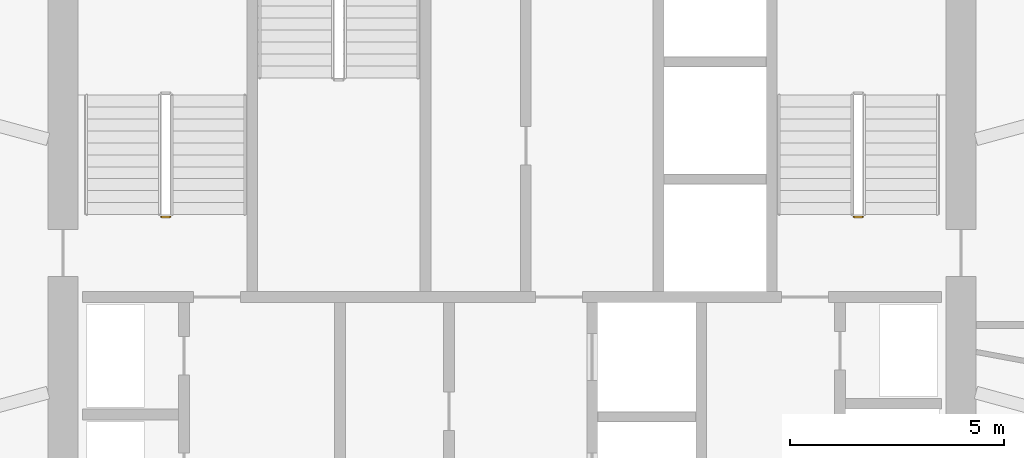
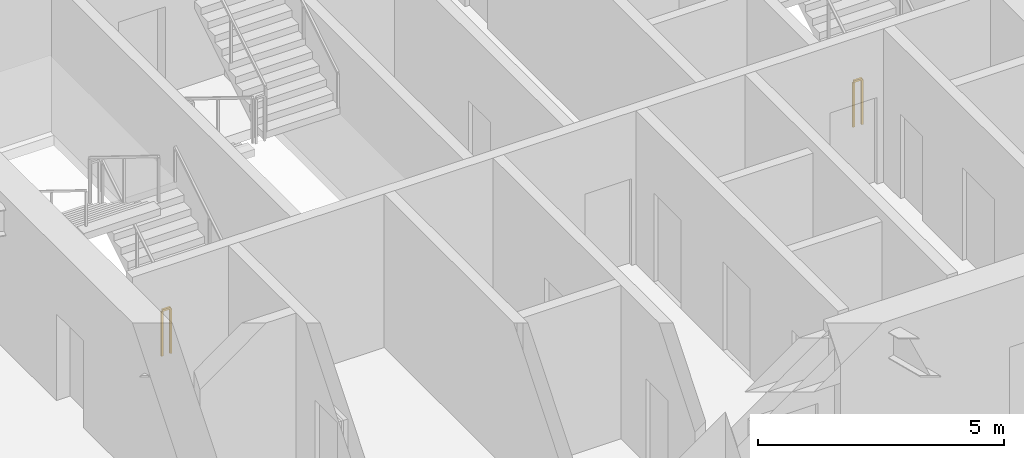
# One storey, part 28 of 30: 2 railings.
"""IFC4 building model written with IfcOpenShell, lengths in metres."""

from ifc_helpers import new_model, si_unit, direction, frame, origin, origin_2d, place, context, subcontext, project, spatial, rectangle, extrude, material, type_object, element, save


model = new_model("IFC4")

# Units and contexts
model_context = context("Model", 3, precision=1e-05, world=origin(), true_north=direction((0.0, 1.0)))
body_context = subcontext(model_context, "Body", "Model", "MODEL_VIEW")
ifc_project = project(units=[si_unit("LENGTHUNIT", "METRE"), si_unit("AREAUNIT", "SQUARE_METRE"), si_unit("VOLUMEUNIT", "CUBIC_METRE"), si_unit("PLANEANGLEUNIT", "RADIAN"), si_unit("MASSUNIT", "GRAM", prefix="KILO")], contexts=[model_context])

# Site, building, storey
site_placement = place(None, origin())
site = spatial("IfcSite", under=ifc_project, at=site_placement, CompositionType="ELEMENT")
building_placement = place(site_placement, origin())
building = spatial("IfcBuilding", under=site, at=building_placement, Name="Zuhravey Tower", CompositionType="ELEMENT")
storey_placement = place(building_placement, frame((0.0, 0.0, 177.0)))
storey = spatial("IfcBuildingStorey", under=building, at=storey_placement, Name="L44", CompositionType="ELEMENT", Elevation=177.0)

# Railings
ifc_material = material(Name="Painted tubular steel", Category="steel")
railing_type = type_object("IfcRailingType", Name="Stair Well Guardrail 1150", PredefinedType="GUARDRAIL", material=ifc_material)
for number, where, name in (
    (1, (28.0, 33.14990234375, 0.0), "L44 ST1 stair guard 4"),
    (2, (44.199951171875, 33.14990234375, 0.0), "L44 ST2 stair guard 4"),
):
    element("IfcRailing", number, at=place(storey_placement, frame(where)), inside=storey, type_object=railing_type, Name=name, PredefinedType="GUARDRAIL", context=body_context, shape_type="SweptSolid", body=[
        extrude(rectangle(XDim=0.048095703125, YDim=0.048095703125, at=origin_2d()), frame((-0.001953125, 0.0, 1.1259765625), z_axis=(-1.0, 0.0, 0.0), x_axis=(0.0, -1.0, 0.0)), (0.0, 0.0, 1.0), 0.196044921875),
        extrude(rectangle(XDim=0.0419921875, YDim=0.0419921875, at=origin_2d()), origin(), (0.0, 0.0, 1.0), 1.099853515625),
        extrude(rectangle(XDim=0.0419921875, YDim=0.0419921875, at=origin_2d()), frame((-0.199951171875, 0.0, 0.0)), (0.0, 0.0, 1.0), 1.099853515625),
    ])

save(model, "model.ifc")
